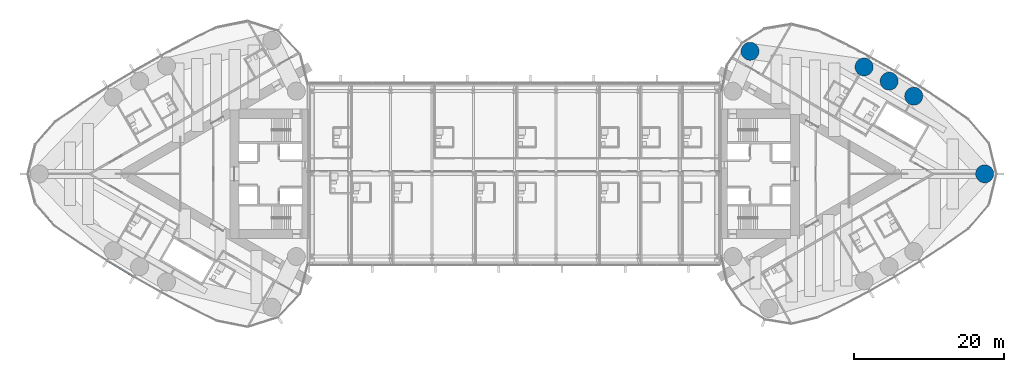
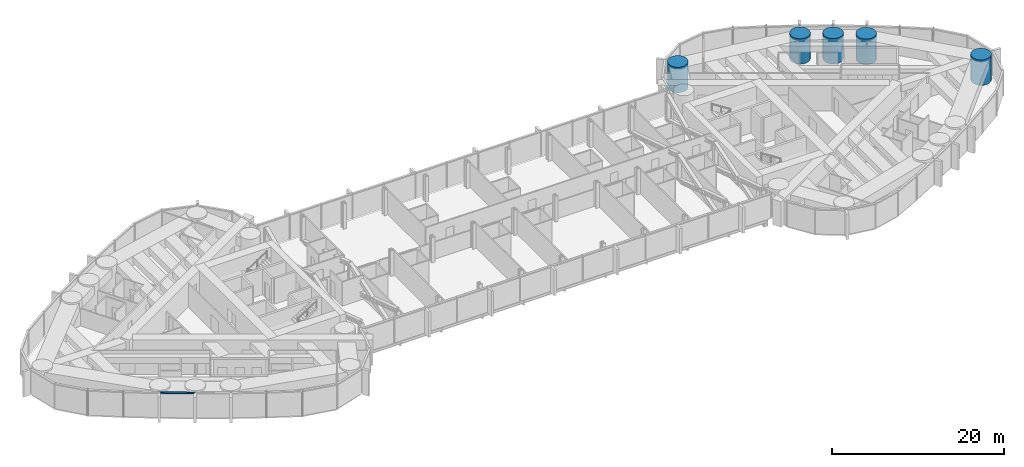
# One storey, part 2 of 24: 5 columns, 1 member, 1 element without a shape of its own.
"""IFC4 building model written with IfcOpenShell, lengths in metres."""

from ifc_helpers import new_model, si_unit, direction, frame, origin, origin_2d, place, context, subcontext, project, spatial, rectangle, circle, extrude, material, material_profile, profile_set, type_object, element, aggregate, save


model = new_model("IFC4")

# Units and contexts
model_context = context("Model", 3, precision=1e-05, world=origin(), true_north=direction((0.0, 1.0)))
body_context = subcontext(model_context, "Body", "Model", "MODEL_VIEW")
ifc_project = project(units=[si_unit("LENGTHUNIT", "METRE"), si_unit("AREAUNIT", "SQUARE_METRE"), si_unit("VOLUMEUNIT", "CUBIC_METRE"), si_unit("PLANEANGLEUNIT", "RADIAN"), si_unit("MASSUNIT", "GRAM", prefix="KILO")], contexts=[model_context])

# Site, building, storey
site_placement = place(None, origin())
site = spatial("IfcSite", under=ifc_project, at=site_placement, CompositionType="ELEMENT")
building_placement = place(site_placement, origin())
building = spatial("IfcBuilding", under=site, at=building_placement, Name="Lancet Gate Hotel", CompositionType="ELEMENT")
storey_placement = place(building_placement, frame((0.0, 0.0, 244.10009765625)))
storey = spatial("IfcBuildingStorey", under=building, at=storey_placement, Name="L65", CompositionType="ELEMENT", Elevation=244.10009765625)

# Columns
ifc_material_1 = material(Name="Concrete C50/60", Category="concrete")
ifc_material_profile_1 = material_profile(ifc_material_1, circle(Radius=1.199951171875, at=origin_2d()), Name="RC D2400")
ifc_profile_set_1 = profile_set([ifc_material_profile_1], Name="Concrete C50/60")
column_type = type_object("IfcColumnType", Name="Perimeter column RC D2400", PredefinedType="COLUMN", material=ifc_profile_set_1)
for number, where, z_axis, x_axis, name in (
    (1, (62.54150390625, 0.0, 0.0), (0.0, 0.0, 1.0), (1.0, 0.0, 0.0), "T2 column CA L65"),
    (2, (31.328369140625, 16.310791015625, 0.0), (0.0, 0.0, 1.0), (1.0, 0.0, 0.0), "T2 column CN L65"),
    (3, (53.107666015625, 10.333984375, 0.0), (0.0, 0.0, 1.0), (1.0, 0.0, 0.0), "T2 column ON1 L65"),
    (4, (49.833984375, 12.331787109375, 0.0), (0.0, 0.0, 1.0), (1.0, 0.0, 0.0), "T2 column ON2 L65"),
    (5, (46.499267578125, 14.2255859375, 0.0), (0.0, 0.0, 1.0), (1.0, 0.0, 0.0), "T2 column ON3 L65"),
):
    element("IfcColumn", number, at=place(storey_placement, frame(where, z_axis=z_axis, x_axis=x_axis)), inside=storey, type_object=column_type, Name=name, PredefinedType="COLUMN", context=body_context, shape_type="SweptSolid", body=[
        extrude(circle(Radius=1.199951171875, at=origin_2d()), origin(), (0.0, 0.0, 1.0), 3.599853515625),
    ])

# Curtain wall, member
ifc_material_2 = material(Name="Aluminium curtain wall", Category="aluminium")
curtain_wall_type = type_object("IfcCurtainWallType", Name="Tower unitised curtain wall", PredefinedType="USERDEFINED", material=ifc_material_2)
curtain_wall_placement = place(storey_placement, origin())
curtain_wall = element("IfcCurtainWall", 6, at=curtain_wall_placement, inside=storey, type_object=curtain_wall_type, Name="T1 L65 curtain wall 1", ObjectType="UNITISED CURTAIN WALL", PredefinedType="USERDEFINED")
ifc_material_3 = material(Name="Aluminium transom", Category="aluminium")
ifc_material_profile_2 = material_profile(ifc_material_3, rectangle(XDim=0.25, YDim=0.14990234375, at=origin_2d()), Name="TRANSOM 250x150")
ifc_profile_set_2 = profile_set([ifc_material_profile_2], Name="Aluminium transom")
member_type = type_object("IfcMemberType", Name="Aluminium transom 250x150", PredefinedType="USERDEFINED", material=ifc_profile_set_2)
member_placement = place(storey_placement, frame((-54.197998046875, -11.55224609375, 3.52490234375), z_axis=(0.856362214892, -0.516375596737, 0.0), x_axis=(0.516375596737, 0.856362214892, 0.0)))
member = element("IfcMember", 7, at=member_placement, type_object=member_type, Name="T1 L65 curtain wall 1 transom 17", ObjectType="TRANSOM", PredefinedType="USERDEFINED", context=body_context, shape_type="SweptSolid", body=[
    extrude(rectangle(XDim=0.25, YDim=0.14990234375, at=origin_2d()), origin(), (0.0, 0.0, 1.0), 4.08447265625),
])
aggregate(curtain_wall, [member])

save(model, "model.ifc")
